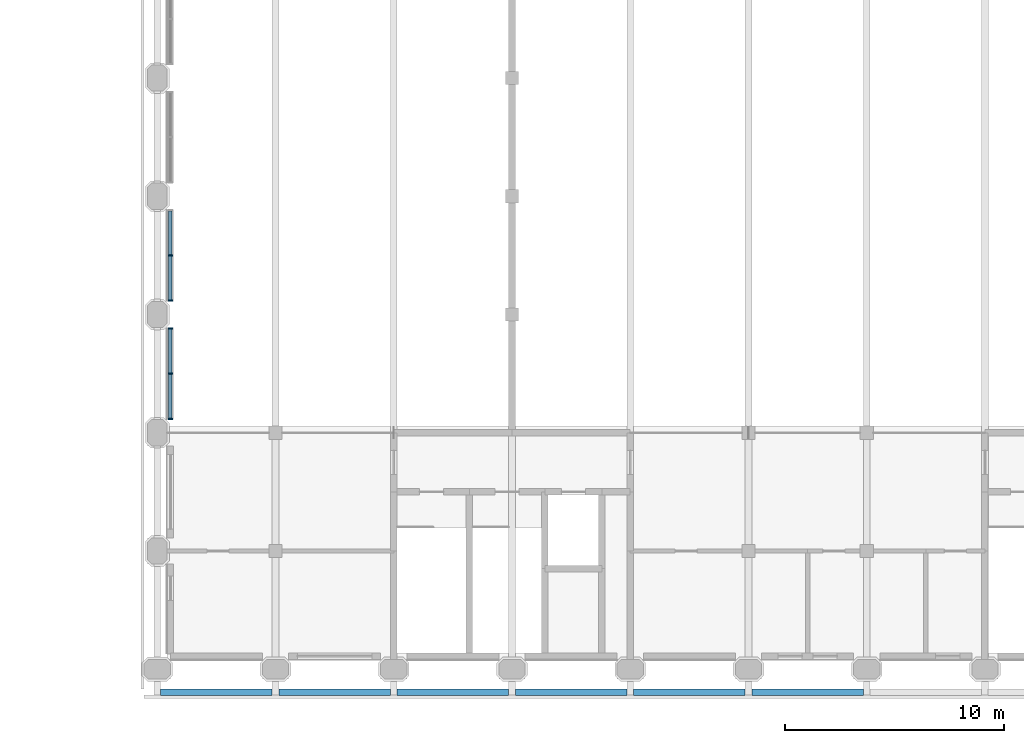
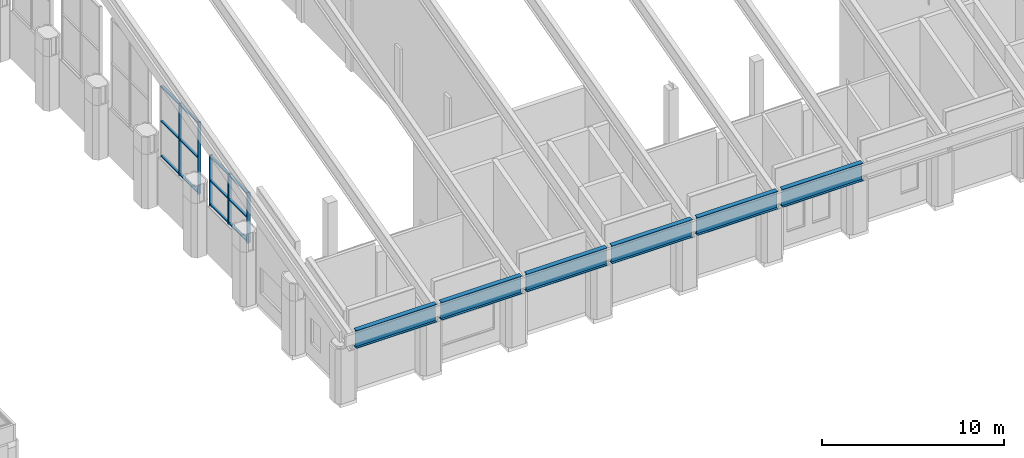
# One storey, part 10 of 42: 17 members, 6 beams, 2 elements without a shape of their own.
"""IFC4 building model written with IfcOpenShell, lengths in metres."""

from ifc_helpers import new_model, si_unit, direction, frame, origin, origin_2d, place, context, subcontext, project, spatial, rectangle, i_section, extrude, material, material_profile, profile_set, type_object, element, aggregate, save


model = new_model("IFC4")

# Units and contexts
model_context = context("Model", 3, precision=1e-05, world=origin(), true_north=direction((0.0, 1.0)))
body_context = subcontext(model_context, "Body", "Model", "MODEL_VIEW")
ifc_project = project(units=[si_unit("LENGTHUNIT", "METRE"), si_unit("AREAUNIT", "SQUARE_METRE"), si_unit("VOLUMEUNIT", "CUBIC_METRE"), si_unit("PLANEANGLEUNIT", "RADIAN"), si_unit("MASSUNIT", "GRAM", prefix="KILO")], contexts=[model_context])

# Site, building, storey
site_placement = place(None, origin())
site = spatial("IfcSite", under=ifc_project, at=site_placement, CompositionType="ELEMENT")
building_placement = place(site_placement, origin())
building = spatial("IfcBuilding", under=site, at=building_placement, Name="Tabaq Tower and Sports Hall", CompositionType="ELEMENT")
storey_placement = place(building_placement, frame((0.0, 0.0, 19.800048828125)))
storey = spatial("IfcBuildingStorey", under=building, at=storey_placement, Name="L03", CompositionType="ELEMENT", Elevation=19.800048828125)

# Curtain wall, members
ifc_material_1 = material(Name="Aluminium alloy 6063-T6 framed glazing", Category="aluminium")
curtain_wall_type = type_object("IfcCurtainWallType", Name="CW6 curtain wall", PredefinedType="USERDEFINED", material=ifc_material_1)
curtain_wall_1_placement = place(storey_placement, origin())
curtain_wall_1 = element("IfcCurtainWall", 1, at=curtain_wall_1_placement, inside=storey, type_object=curtain_wall_type, Name="L03 W hall glazing run", ObjectType="HALL FACADE WALL", PredefinedType="USERDEFINED")
ifc_material_2 = material(Name="Aluminium alloy 6063-T6", Category="aluminium")
ifc_material_profile_1 = material_profile(ifc_material_2, rectangle(XDim=0.199951171875, YDim=0.070068359375, at=origin_2d()), Name="MULLION 200x70")
ifc_profile_set_1 = profile_set([ifc_material_profile_1], Name="Aluminium alloy 6063-T6")
member_type_1 = type_object("IfcMemberType", Name="CW6 mullion 200x70", PredefinedType="MULLION", material=ifc_profile_set_1)
member_1_placement = place(storey_placement, frame((65.39990234375, 11.43505859375, 3.199951171875), z_axis=(0.0, 0.0, 1.0), x_axis=(-1.0, 0.0, 0.0)))
member_1 = element("IfcMember", 2, at=member_1_placement, type_object=member_type_1, Name="CW6 mullion 1", PredefinedType="MULLION", context=body_context, shape_type="SweptSolid", body=[
    extrude(rectangle(XDim=0.199951171875, YDim=0.070068359375, at=origin_2d()), origin(), (0.0, 0.0, 1.0), 3.376708984375),
])
member_2_placement = place(storey_placement, frame((65.39990234375, 13.5, 3.199951171875), z_axis=(0.0, 0.0, 1.0), x_axis=(-1.0, 0.0, 0.0)))
member_2 = element("IfcMember", 3, at=member_2_placement, type_object=member_type_1, Name="CW6 mullion 2", PredefinedType="MULLION", context=body_context, shape_type="SweptSolid", body=[
    extrude(rectangle(XDim=0.199951171875, YDim=0.070068359375, at=origin_2d()), origin(), (0.0, 0.0, 1.0), 3.376708984375),
])
member_3_placement = place(storey_placement, frame((65.39990234375, 15.56494140625, 3.199951171875), z_axis=(0.0, 0.0, 1.0), x_axis=(-1.0, 0.0, 0.0)))
member_3 = element("IfcMember", 4, at=member_3_placement, type_object=member_type_1, Name="CW6 mullion 3", PredefinedType="MULLION", context=body_context, shape_type="SweptSolid", body=[
    extrude(rectangle(XDim=0.199951171875, YDim=0.070068359375, at=origin_2d()), origin(), (0.0, 0.0, 1.0), 3.376708984375),
])

curtain_wall_2_placement = place(storey_placement, origin())
curtain_wall_2 = element("IfcCurtainWall", 5, at=curtain_wall_2_placement, inside=storey, type_object=curtain_wall_type, Name="L03 W hall glazing run", ObjectType="HALL FACADE WALL", PredefinedType="USERDEFINED")
member_4_placement = place(storey_placement, frame((65.39990234375, 16.8349609375, 3.199951171875), z_axis=(0.0, 0.0, 1.0), x_axis=(-1.0, 0.0, 0.0)))
member_4 = element("IfcMember", 6, at=member_4_placement, type_object=member_type_1, Name="CW6 mullion 1", PredefinedType="MULLION", context=body_context, shape_type="SweptSolid", body=[
    extrude(rectangle(XDim=0.199951171875, YDim=0.070068359375, at=origin_2d()), origin(), (0.0, 0.0, 1.0), 4.82373046875),
])
member_5_placement = place(storey_placement, frame((65.39990234375, 18.89990234375, 3.199951171875), z_axis=(0.0, 0.0, 1.0), x_axis=(-1.0, 0.0, 0.0)))
member_5 = element("IfcMember", 7, at=member_5_placement, type_object=member_type_1, Name="CW6 mullion 2", PredefinedType="MULLION", context=body_context, shape_type="SweptSolid", body=[
    extrude(rectangle(XDim=0.199951171875, YDim=0.070068359375, at=origin_2d()), origin(), (0.0, 0.0, 1.0), 4.82373046875),
])

# Member
ifc_material_3 = material(Name="Aluminium alloy 6063-T6", Category="aluminium")
ifc_material_profile_2 = material_profile(ifc_material_3, rectangle(XDim=0.159912109375, YDim=0.070068359375, at=origin_2d()), Name="TRANSOM 160x70")
ifc_profile_set_2 = profile_set([ifc_material_profile_2], Name="Aluminium alloy 6063-T6")
member_type_2 = type_object("IfcMemberType", Name="CW6 transom 160x70", PredefinedType="USERDEFINED", material=ifc_profile_set_2)
member_6_placement = place(storey_placement, frame((65.39990234375, 11.469970703125, 3.280029296875), z_axis=(0.0, 1.0, 0.0), x_axis=(-1.0, 0.0, 0.0)))
member_6 = element("IfcMember", 8, at=member_6_placement, type_object=member_type_2, Name="CW6 transom 1.1", ObjectType="TRANSOM", PredefinedType="USERDEFINED", context=body_context, shape_type="SweptSolid", body=[
    extrude(rectangle(XDim=0.159912109375, YDim=0.070068359375, at=origin_2d()), origin(), (0.0, 0.0, 1.0), 1.9951171875),
])

member_7_placement = place(storey_placement, frame((65.39990234375, 11.469970703125, 4.888427734375), z_axis=(0.0, 1.0, 0.0), x_axis=(-1.0, 0.0, 0.0)))
member_7 = element("IfcMember", 9, at=member_7_placement, type_object=member_type_2, Name="CW6 transom 1.2", ObjectType="TRANSOM", PredefinedType="USERDEFINED", context=body_context, shape_type="SweptSolid", body=[
    extrude(rectangle(XDim=0.159912109375, YDim=0.070068359375, at=origin_2d()), origin(), (0.0, 0.0, 1.0), 1.9951171875),
])

member_8_placement = place(storey_placement, frame((65.39990234375, 11.469970703125, 6.496826171875), z_axis=(0.0, 1.0, 0.0), x_axis=(-1.0, 0.0, 0.0)))
member_8 = element("IfcMember", 10, at=member_8_placement, type_object=member_type_2, Name="CW6 transom 1.3", ObjectType="TRANSOM", PredefinedType="USERDEFINED", context=body_context, shape_type="SweptSolid", body=[
    extrude(rectangle(XDim=0.159912109375, YDim=0.070068359375, at=origin_2d()), origin(), (0.0, 0.0, 1.0), 1.9951171875),
])

member_9_placement = place(storey_placement, frame((65.39990234375, 13.534912109375, 3.280029296875), z_axis=(0.0, 1.0, 0.0), x_axis=(-1.0, 0.0, 0.0)))
member_9 = element("IfcMember", 11, at=member_9_placement, type_object=member_type_2, Name="CW6 transom 2.1", ObjectType="TRANSOM", PredefinedType="USERDEFINED", context=body_context, shape_type="SweptSolid", body=[
    extrude(rectangle(XDim=0.159912109375, YDim=0.070068359375, at=origin_2d()), origin(), (0.0, 0.0, 1.0), 1.9951171875),
])

member_10_placement = place(storey_placement, frame((65.39990234375, 13.534912109375, 4.888427734375), z_axis=(0.0, 1.0, 0.0), x_axis=(-1.0, 0.0, 0.0)))
member_10 = element("IfcMember", 12, at=member_10_placement, type_object=member_type_2, Name="CW6 transom 2.2", ObjectType="TRANSOM", PredefinedType="USERDEFINED", context=body_context, shape_type="SweptSolid", body=[
    extrude(rectangle(XDim=0.159912109375, YDim=0.070068359375, at=origin_2d()), origin(), (0.0, 0.0, 1.0), 1.9951171875),
])

member_11_placement = place(storey_placement, frame((65.39990234375, 13.534912109375, 6.496826171875), z_axis=(0.0, 1.0, 0.0), x_axis=(-1.0, 0.0, 0.0)))
member_11 = element("IfcMember", 13, at=member_11_placement, type_object=member_type_2, Name="CW6 transom 2.3", ObjectType="TRANSOM", PredefinedType="USERDEFINED", context=body_context, shape_type="SweptSolid", body=[
    extrude(rectangle(XDim=0.159912109375, YDim=0.070068359375, at=origin_2d()), origin(), (0.0, 0.0, 1.0), 1.9951171875),
])

aggregate(curtain_wall_1, [member_1, member_2, member_3, member_6, member_7, member_8, member_9, member_10, member_11])

member_12_placement = place(storey_placement, frame((65.39990234375, 16.8701171875, 3.280029296875), z_axis=(0.0, 1.0, 0.0), x_axis=(-1.0, 0.0, 0.0)))
member_12 = element("IfcMember", 14, at=member_12_placement, type_object=member_type_2, Name="CW6 transom 1.1", ObjectType="TRANSOM", PredefinedType="USERDEFINED", context=body_context, shape_type="SweptSolid", body=[
    extrude(rectangle(XDim=0.159912109375, YDim=0.070068359375, at=origin_2d()), origin(), (0.0, 0.0, 1.0), 1.994873046875),
])

member_13_placement = place(storey_placement, frame((65.39990234375, 16.8701171875, 5.61181640625), z_axis=(0.0, 1.0, 0.0), x_axis=(-1.0, 0.0, 0.0)))
member_13 = element("IfcMember", 15, at=member_13_placement, type_object=member_type_2, Name="CW6 transom 1.2", ObjectType="TRANSOM", PredefinedType="USERDEFINED", context=body_context, shape_type="SweptSolid", body=[
    extrude(rectangle(XDim=0.159912109375, YDim=0.070068359375, at=origin_2d()), origin(), (0.0, 0.0, 1.0), 1.994873046875),
])

member_14_placement = place(storey_placement, frame((65.39990234375, 16.8701171875, 7.943603515625), z_axis=(0.0, 1.0, 0.0), x_axis=(-1.0, 0.0, 0.0)))
member_14 = element("IfcMember", 16, at=member_14_placement, type_object=member_type_2, Name="CW6 transom 1.3", ObjectType="TRANSOM", PredefinedType="USERDEFINED", context=body_context, shape_type="SweptSolid", body=[
    extrude(rectangle(XDim=0.159912109375, YDim=0.070068359375, at=origin_2d()), origin(), (0.0, 0.0, 1.0), 1.994873046875),
])

member_15_placement = place(storey_placement, frame((65.39990234375, 18.93505859375, 3.280029296875), z_axis=(0.0, 1.0, 0.0), x_axis=(-1.0, 0.0, 0.0)))
member_15 = element("IfcMember", 17, at=member_15_placement, type_object=member_type_2, Name="CW6 transom 2.1", ObjectType="TRANSOM", PredefinedType="USERDEFINED", context=body_context, shape_type="SweptSolid", body=[
    extrude(rectangle(XDim=0.159912109375, YDim=0.070068359375, at=origin_2d()), origin(), (0.0, 0.0, 1.0), 1.994873046875),
])

member_16_placement = place(storey_placement, frame((65.39990234375, 18.93505859375, 5.61181640625), z_axis=(0.0, 1.0, 0.0), x_axis=(-1.0, 0.0, 0.0)))
member_16 = element("IfcMember", 18, at=member_16_placement, type_object=member_type_2, Name="CW6 transom 2.2", ObjectType="TRANSOM", PredefinedType="USERDEFINED", context=body_context, shape_type="SweptSolid", body=[
    extrude(rectangle(XDim=0.159912109375, YDim=0.070068359375, at=origin_2d()), origin(), (0.0, 0.0, 1.0), 1.994873046875),
])

member_17_placement = place(storey_placement, frame((65.39990234375, 18.93505859375, 7.943603515625), z_axis=(0.0, 1.0, 0.0), x_axis=(-1.0, 0.0, 0.0)))
member_17 = element("IfcMember", 19, at=member_17_placement, type_object=member_type_2, Name="CW6 transom 2.3", ObjectType="TRANSOM", PredefinedType="USERDEFINED", context=body_context, shape_type="SweptSolid", body=[
    extrude(rectangle(XDim=0.159912109375, YDim=0.070068359375, at=origin_2d()), origin(), (0.0, 0.0, 1.0), 1.994873046875),
])

aggregate(curtain_wall_2, [member_4, member_5, member_12, member_13, member_14, member_15, member_16, member_17])

# Beams
ifc_material_4 = material(Name="Steel S355", Category="steel")
ifc_material_profile_3 = material_profile(ifc_material_4, i_section(OverallWidth=0.300048828125, OverallDepth=1.199951171875, WebThickness=0.01611328125, FlangeThickness=0.030029296875, at=origin_2d()), Name="PG 1200x300x16x30")
ifc_profile_set_3 = profile_set([ifc_material_profile_3], Name="Steel S355")
beam_type = type_object("IfcBeamType", Name="HALL FASCIA BEAM PG 1200x300x16x30", PredefinedType="BEAM", material=ifc_profile_set_3)
beam_1_placement = place(storey_placement, frame((64.949951171875, -1.050048828125, 4.5185546875), z_axis=(1.0, 0.0, 0.0), x_axis=(0.0, 1.0, 0.0)))
element("IfcBeam", 20, at=beam_1_placement, inside=storey, type_object=beam_type, Name="Roof fascia beam S01", PredefinedType="BEAM", context=body_context, shape_type="SweptSolid", body=[
    extrude(i_section(OverallWidth=0.300048828125, OverallDepth=1.199951171875, WebThickness=0.01611328125, FlangeThickness=0.030029296875, at=origin_2d()), origin(), (0.0, 0.0, 1.0), 5.10009765625),
])
beam_2_placement = place(storey_placement, frame((70.35009765625, -1.050048828125, 4.5185546875), z_axis=(1.0, 0.0, 0.0), x_axis=(0.0, 1.0, 0.0)))
element("IfcBeam", 21, at=beam_2_placement, inside=storey, type_object=beam_type, Name="Roof fascia beam S02", PredefinedType="BEAM", context=body_context, shape_type="SweptSolid", body=[
    extrude(i_section(OverallWidth=0.300048828125, OverallDepth=1.199951171875, WebThickness=0.01611328125, FlangeThickness=0.030029296875, at=origin_2d()), origin(), (0.0, 0.0, 1.0), 5.099853515625),
])
for number, where, z_axis, x_axis, name in (
    (22, (75.75, -1.050048828125, 4.5185546875), (1.0, 0.0, 0.0), (0.0, 1.0, 0.0), "Roof fascia beam S03"),
    (23, (81.14990234375, -1.050048828125, 4.5185546875), (1.0, 0.0, 0.0), (0.0, 1.0, 0.0), "Roof fascia beam S04"),
):
    element("IfcBeam", number, at=place(storey_placement, frame(where, z_axis=z_axis, x_axis=x_axis)), inside=storey, type_object=beam_type, Name=name, PredefinedType="BEAM", context=body_context, shape_type="SweptSolid", body=[
        extrude(i_section(OverallWidth=0.300048828125, OverallDepth=1.199951171875, WebThickness=0.01611328125, FlangeThickness=0.030029296875, at=origin_2d()), origin(), (0.0, 0.0, 1.0), 5.10009765625),
    ])
beam_3_placement = place(storey_placement, frame((86.550048828125, -1.050048828125, 4.5185546875), z_axis=(1.0, 0.0, 0.0), x_axis=(0.0, 1.0, 0.0)))
element("IfcBeam", 24, at=beam_3_placement, inside=storey, type_object=beam_type, Name="Roof fascia beam S05", PredefinedType="BEAM", context=body_context, shape_type="SweptSolid", body=[
    extrude(i_section(OverallWidth=0.300048828125, OverallDepth=1.199951171875, WebThickness=0.01611328125, FlangeThickness=0.030029296875, at=origin_2d()), origin(), (0.0, 0.0, 1.0), 5.099853515625),
])
beam_4_placement = place(storey_placement, frame((91.949951171875, -1.050048828125, 4.5185546875), z_axis=(1.0, 0.0, 0.0), x_axis=(0.0, 1.0, 0.0)))
element("IfcBeam", 25, at=beam_4_placement, inside=storey, type_object=beam_type, Name="Roof fascia beam S06", PredefinedType="BEAM", context=body_context, shape_type="SweptSolid", body=[
    extrude(i_section(OverallWidth=0.300048828125, OverallDepth=1.199951171875, WebThickness=0.01611328125, FlangeThickness=0.030029296875, at=origin_2d()), origin(), (0.0, 0.0, 1.0), 5.10009765625),
])

save(model, "model.ifc")
